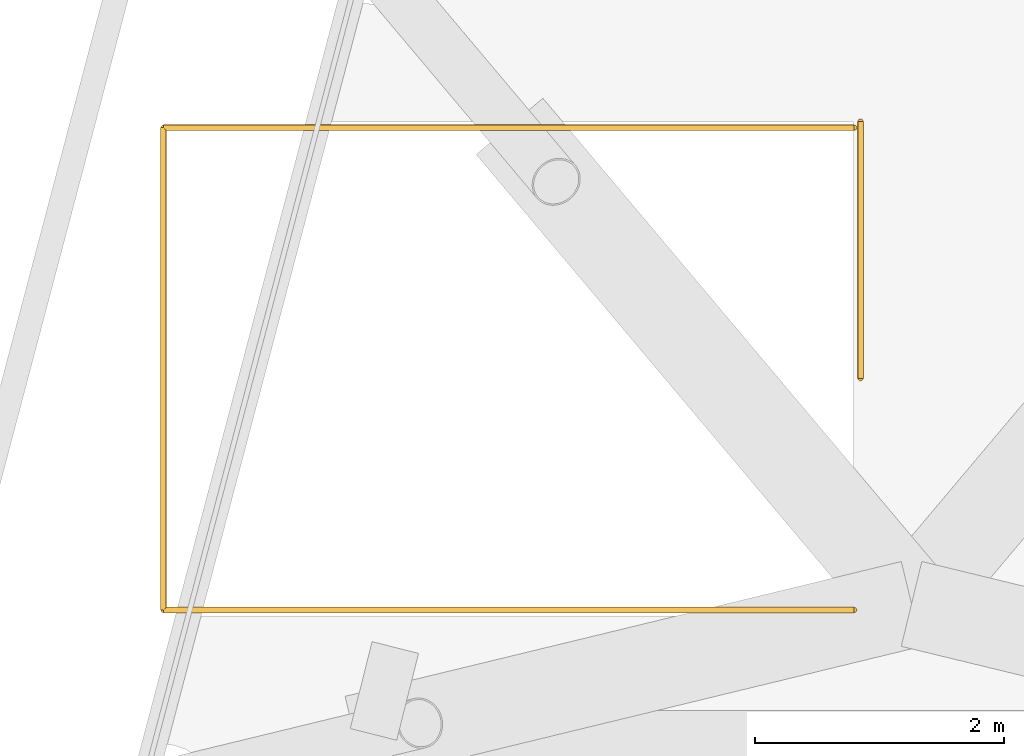
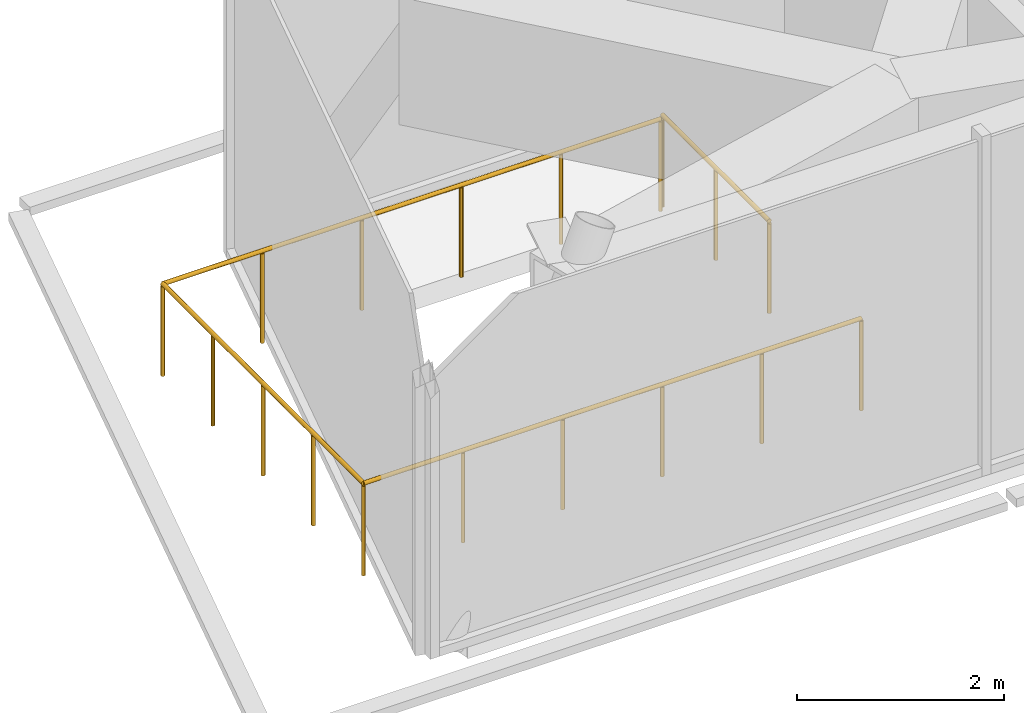
# One storey, part 2 of 2: 2 railings.
"""IFC4 building model written with IfcOpenShell, lengths in metres."""

from ifc_helpers import new_model, si_unit, direction, frame, origin, origin_2d, place, context, subcontext, project, spatial, circle, extrude, material, type_object, element, save


model = new_model("IFC4")

# Units and contexts
model_context = context("Model", 3, precision=1e-05, world=origin(), true_north=direction((0.0, 1.0)))
body_context = subcontext(model_context, "Body", "Model", "MODEL_VIEW")
ifc_project = project(units=[si_unit("LENGTHUNIT", "METRE"), si_unit("AREAUNIT", "SQUARE_METRE"), si_unit("VOLUMEUNIT", "CUBIC_METRE"), si_unit("PLANEANGLEUNIT", "RADIAN"), si_unit("MASSUNIT", "GRAM", prefix="KILO")], contexts=[model_context])

# Site, building, storey
site_placement = place(None, origin())
site = spatial("IfcSite", under=ifc_project, at=site_placement, CompositionType="ELEMENT")
building_placement = place(site_placement, origin())
building = spatial("IfcBuilding", under=site, at=building_placement, Name="Quipu Civic Tower", CompositionType="ELEMENT")
storey_placement = place(building_placement, frame((0.0, 0.0, 392.0)))
storey = spatial("IfcBuildingStorey", under=building, at=storey_placement, Name="L91", CompositionType="ELEMENT", Elevation=392.0)

# Railings
ifc_material = material(Name="Stainless steel", Category="steel")
railing_type = type_object("IfcRailingType", Name="Stair guard 1100", PredefinedType="GUARDRAIL", material=ifc_material)
railing_1_placement = place(storey_placement, frame((-0.409912109375, -2.22998046875, 0.0)))
element("IfcRailing", 1, at=railing_1_placement, inside=storey, type_object=railing_type, Name="Stair 5 top guard", PredefinedType="GUARDRAIL", context=body_context, shape_type="SweptSolid", body=[
    extrude(circle(Radius=0.02392578125, at=origin_2d()), frame((0.0, 0.0, 1.076171875), z_axis=(0.0, -1.0, 0.0), x_axis=(1.0, 0.0, 0.0)), (0.0, 0.0, 1.0), 2.06005859375),
    extrude(circle(Radius=0.02099609375, at=origin_2d()), origin(), (0.0, 0.0, 1.0), 1.052001953125),
    extrude(circle(Radius=0.02099609375, at=origin_2d()), frame((0.0, -1.030029296875, 0.0)), (0.0, 0.0, 1.0), 1.052001953125),
    extrude(circle(Radius=0.02099609375, at=origin_2d()), frame((0.0, -2.06005859375, 0.0)), (0.0, 0.0, 1.0), 1.052001953125),
])
railing_2_placement = place(storey_placement, frame((-0.4599609375, -6.14990234375, 0.0)))
element("IfcRailing", 2, at=railing_2_placement, inside=storey, type_object=railing_type, Name="Stair 5 edge guard", PredefinedType="GUARDRAIL", context=body_context, shape_type="SweptSolid", body=[
    extrude(circle(Radius=0.02392578125, at=origin_2d()), frame((0.0, 0.0, 1.076171875), z_axis=(-1.0, 0.0, 0.0), x_axis=(0.0, -1.0, 0.0)), (0.0, 0.0, 1.0), 5.5400390625),
    extrude(circle(Radius=0.02392578125, at=origin_2d()), frame((-5.5400390625, 0.0, 1.076171875), z_axis=(0.0, 1.0, 0.0), x_axis=(-1.0, 0.0, 0.0)), (0.0, 0.0, 1.0), 3.869873046875),
    extrude(circle(Radius=0.02392578125, at=origin_2d()), frame((-5.5400390625, 3.869873046875, 1.076171875), z_axis=(1.0, 0.0, 0.0), x_axis=(0.0, 1.0, 0.0)), (0.0, 0.0, 1.0), 5.5400390625),
    extrude(circle(Radius=0.02099609375, at=origin_2d()), origin(), (0.0, 0.0, 1.0), 1.052001953125),
    extrude(circle(Radius=0.02099609375, at=origin_2d()), frame((-1.10791015625, 0.0, 0.0)), (0.0, 0.0, 1.0), 1.052001953125),
    extrude(circle(Radius=0.02099609375, at=origin_2d()), frame((-2.216064453125, 0.0, 0.0)), (0.0, 0.0, 1.0), 1.052001953125),
    extrude(circle(Radius=0.02099609375, at=origin_2d()), frame((-3.323974609375, 0.0, 0.0)), (0.0, 0.0, 1.0), 1.052001953125),
    extrude(circle(Radius=0.02099609375, at=origin_2d()), frame((-4.43212890625, 0.0, 0.0)), (0.0, 0.0, 1.0), 1.052001953125),
    extrude(circle(Radius=0.02099609375, at=origin_2d()), frame((-5.5400390625, 0.0, 0.0)), (0.0, 0.0, 1.0), 1.052001953125),
    extrude(circle(Radius=0.02099609375, at=origin_2d()), frame((-5.5400390625, 0.967529296875, 0.0)), (0.0, 0.0, 1.0), 1.052001953125),
    extrude(circle(Radius=0.02099609375, at=origin_2d()), frame((-5.5400390625, 1.93505859375, 0.0)), (0.0, 0.0, 1.0), 1.052001953125),
    extrude(circle(Radius=0.02099609375, at=origin_2d()), frame((-5.5400390625, 2.90234375, 0.0)), (0.0, 0.0, 1.0), 1.052001953125),
    extrude(circle(Radius=0.02099609375, at=origin_2d()), frame((-5.5400390625, 3.869873046875, 0.0)), (0.0, 0.0, 1.0), 1.052001953125),
    extrude(circle(Radius=0.02099609375, at=origin_2d()), frame((-4.43212890625, 3.869873046875, 0.0)), (0.0, 0.0, 1.0), 1.052001953125),
    extrude(circle(Radius=0.02099609375, at=origin_2d()), frame((-3.323974609375, 3.869873046875, 0.0)), (0.0, 0.0, 1.0), 1.052001953125),
    extrude(circle(Radius=0.02099609375, at=origin_2d()), frame((-2.216064453125, 3.869873046875, 0.0)), (0.0, 0.0, 1.0), 1.052001953125),
    extrude(circle(Radius=0.02099609375, at=origin_2d()), frame((-1.10791015625, 3.869873046875, 0.0)), (0.0, 0.0, 1.0), 1.052001953125),
    extrude(circle(Radius=0.02099609375, at=origin_2d()), frame((0.0, 3.869873046875, 0.0)), (0.0, 0.0, 1.0), 1.052001953125),
])

save(model, "model.ifc")
